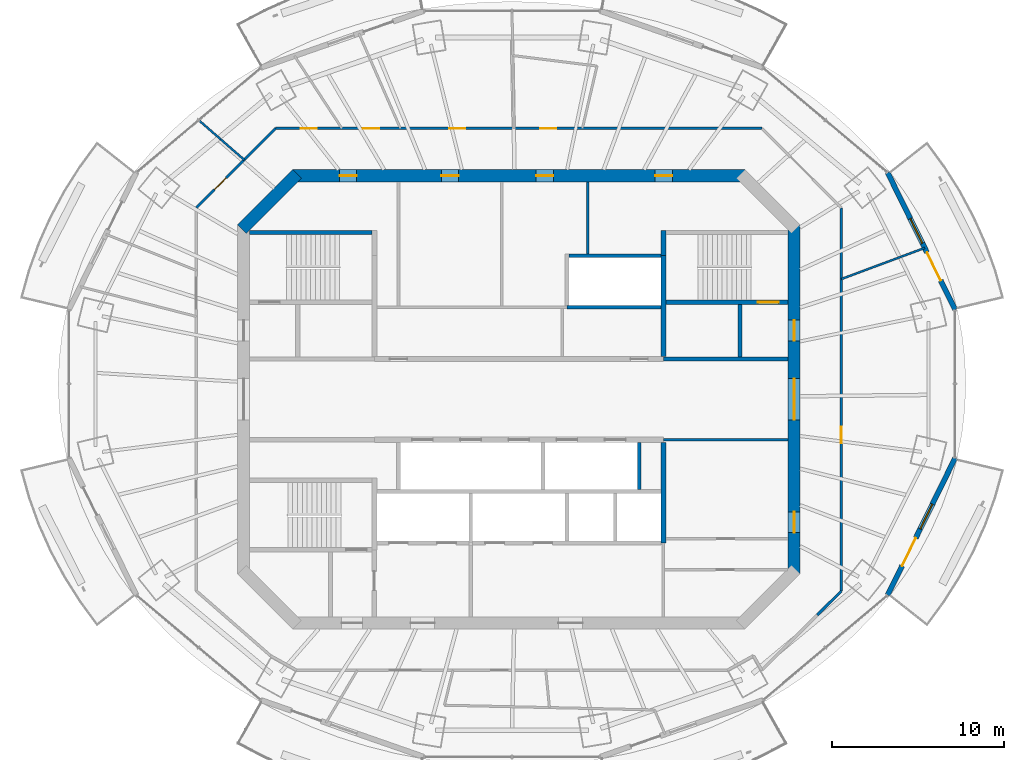
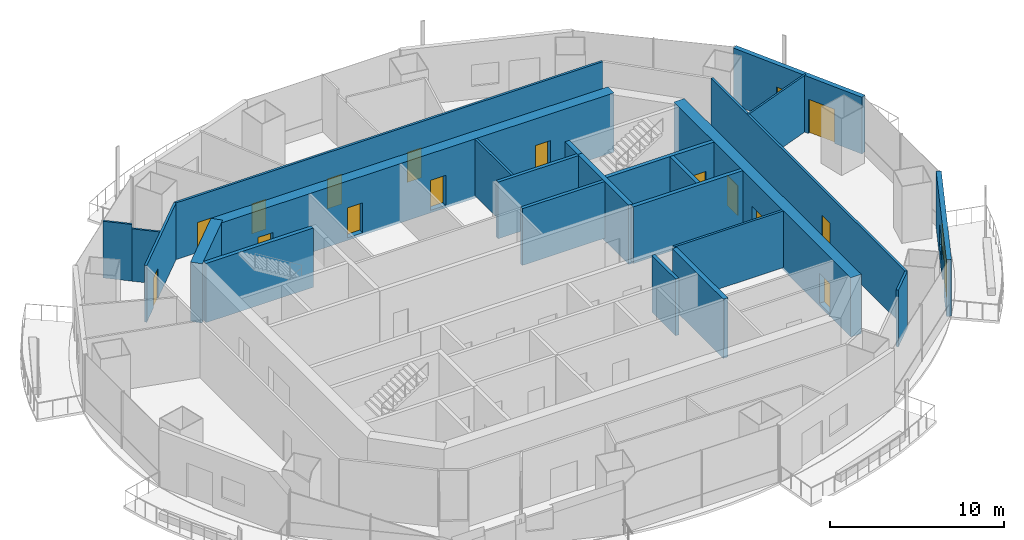
# One storey, part 10 of 16: 24 walls, 16 doors, 2 windows, 18 openings.
"""IFC4 building model written with IfcOpenShell, lengths in metres."""

from ifc_helpers import new_model, si_unit, direction, frame, frame_2d, origin, place, context, subcontext, project, spatial, rectangle, extrude, material, layer, layer_set, type_object, element, fill, save


model = new_model("IFC4")

# Units and contexts
model_context = context("Model", 3, precision=1e-05, world=origin(), true_north=direction((0.0, 1.0)))
body_context = subcontext(model_context, "Body", "Model", "MODEL_VIEW")
ifc_project = project(units=[si_unit("LENGTHUNIT", "METRE"), si_unit("AREAUNIT", "SQUARE_METRE"), si_unit("VOLUMEUNIT", "CUBIC_METRE"), si_unit("PLANEANGLEUNIT", "RADIAN"), si_unit("MASSUNIT", "GRAM", prefix="KILO")], contexts=[model_context])

# Site, building, storey
site_placement = place(None, origin())
site = spatial("IfcSite", under=ifc_project, at=site_placement, CompositionType="ELEMENT")
building_placement = place(site_placement, origin())
building = spatial("IfcBuilding", under=site, at=building_placement, Name="Marenthal Gate Tower", CompositionType="ELEMENT")
storey_placement = place(building_placement, frame((0.0, 0.0, 359.199951171875)))
storey = spatial("IfcBuildingStorey", under=building, at=storey_placement, Name="L81", CompositionType="ELEMENT", Elevation=359.199951171875)

# Wall, openings, doors
ifc_material_1 = material(Name="Concrete 60 MPa", Category="concrete")
ifc_layer_1 = layer(ifc_material_1, 0.699951171875)
ifc_layer_set_1 = layer_set([ifc_layer_1], Name="Core shear wall 700")
wall_type_1 = type_object("IfcWallType", Name="Core shear wall 700", PredefinedType="SHEAR", material=ifc_layer_set_1)
wall_1_placement = place(storey_placement, frame((16.0, -10.14501953125, -0.179931640625), z_axis=(0.0, 0.0, 1.0), x_axis=(0.0, 1.0, 0.0)))
wall_1 = element("IfcWall", 1, at=wall_1_placement, inside=storey, type_object=wall_type_1, Name="Core wall 02", PredefinedType="SHEAR", context=body_context, shape_type="SweptSolid", body=[
    extrude(rectangle(XDim=20.2900390625, YDim=0.699951171875, at=frame_2d((10.14501953125, 0.0))), origin(), (0.0, 0.0, 1.0), 4.14990234375),
])
opening_1_placement = place(wall_1_placement, frame((8.945068359375, 0.0, 0.179931640625)))
opening_1 = element("IfcOpeningElement", 2, at=opening_1_placement, cuts=wall_1, Name="Opening D003.02", PredefinedType="OPENING", context=body_context, shape_type="SweptSolid", body=[
    extrude(rectangle(XDim=2.39990234375, YDim=2.10009765625, at=frame_2d((1.199951171875, 1.050048828125))), frame((0.0, 0.35986328125, 0.0), z_axis=(0.0, -1.0, 0.0), x_axis=(1.0, 0.0, 0.0)), (0.0, 0.0, 1.0), 0.719970703125),
])
opening_2_placement = place(wall_1_placement, frame((13.544921875, 0.0, 0.179931640625)))
opening_2 = element("IfcOpeningElement", 3, at=opening_2_placement, cuts=wall_1, Name="Opening D001.05", PredefinedType="OPENING", context=body_context, shape_type="SweptSolid", body=[
    extrude(rectangle(XDim=1.199951171875, YDim=2.10009765625, at=frame_2d((0.60009765625, 1.050048828125))), frame((0.0, 0.35986328125, 0.0), z_axis=(0.0, -1.0, 0.0), x_axis=(1.0, 0.0, 0.0)), (0.0, 0.0, 1.0), 0.719970703125),
])
opening_3_placement = place(wall_1_placement, frame((2.39990234375, 0.0, 0.179931640625)))
opening_3 = element("IfcOpeningElement", 4, at=opening_3_placement, cuts=wall_1, Name="Opening D006.01", PredefinedType="OPENING", context=body_context, shape_type="SweptSolid", body=[
    extrude(rectangle(XDim=1.199951171875, YDim=2.10009765625, at=frame_2d((0.60009765625, 1.050048828125))), frame((0.0, 0.35986328125, 0.0), z_axis=(0.0, -1.0, 0.0), x_axis=(1.0, 0.0, 0.0)), (0.0, 0.0, 1.0), 0.719970703125),
])
ifc_material_2 = material(Name="Steel fire door", Category="steel")
door_type_1 = type_object("IfcDoorType", Name="Double fire door FD 45 2400 x 2100", OperationType="DOUBLE_DOOR_SINGLE_SWING", PredefinedType="DOOR", material=ifc_material_2)
door_1_placement = place(opening_1_placement, origin())
door_1 = element("IfcDoor", 5, at=door_1_placement, inside=storey, type_object=door_type_1, Name="Door D003.02", OperationType="DOUBLE_DOOR_SINGLE_SWING", OverallHeight=2.10009765625, OverallWidth=2.39990234375, PredefinedType="DOOR", context=body_context, shape_type="SweptSolid", body=[
    extrude(rectangle(XDim=2.39990234375, YDim=2.10009765625, at=frame_2d((1.199951171875, 1.050048828125))), frame((0.0, 0.02490234375, 0.0), z_axis=(0.0, -1.0, 0.0), x_axis=(1.0, 0.0, 0.0)), (0.0, 0.0, 1.0), 0.050048828125),
])
fill(opening_1, door_1)
ifc_material_3 = material(Name="Steel fire door", Category="steel")
door_type_2 = type_object("IfcDoorType", Name="Fire door FD 45 1200 x 2100", OperationType="NOTDEFINED", PredefinedType="DOOR", material=ifc_material_3)
door_2_placement = place(opening_3_placement, origin())
door_2 = element("IfcDoor", 6, at=door_2_placement, inside=storey, type_object=door_type_2, Name="Door D006.01", OperationType="SINGLE_SWING_RIGHT", OverallHeight=2.10009765625, OverallWidth=1.199951171875, PredefinedType="DOOR", context=body_context, shape_type="SweptSolid", body=[
    extrude(rectangle(XDim=1.199951171875, YDim=2.10009765625, at=frame_2d((0.60009765625, 1.050048828125))), frame((0.0, 0.02490234375, 0.0), z_axis=(0.0, -1.0, 0.0), x_axis=(1.0, 0.0, 0.0)), (0.0, 0.0, 1.0), 0.050048828125),
])
fill(opening_3, door_2)
ifc_material_4 = material(Name="Steel fire door", Category="steel")
door_type_3 = type_object("IfcDoorType", Name="Fire door FD 90 1200 x 2100", OperationType="NOTDEFINED", PredefinedType="DOOR", material=ifc_material_4)
door_3_placement = place(opening_2_placement, origin())
door_3 = element("IfcDoor", 7, at=door_3_placement, inside=storey, type_object=door_type_3, Name="Door D001.05", OperationType="SINGLE_SWING_RIGHT", OverallHeight=2.10009765625, OverallWidth=1.199951171875, PredefinedType="DOOR", context=body_context, shape_type="SweptSolid", body=[
    extrude(rectangle(XDim=1.199951171875, YDim=2.10009765625, at=frame_2d((0.60009765625, 1.050048828125))), frame((0.0, 0.02490234375, 0.0), z_axis=(0.0, -1.0, 0.0), x_axis=(1.0, 0.0, 0.0)), (0.0, 0.0, 1.0), 0.050048828125),
])
fill(opening_2, door_3)

wall_2_placement = place(storey_placement, frame((13.14501953125, 13.0, -0.179931640625), z_axis=(0.0, 0.0, 1.0), x_axis=(-1.0, 0.0, 0.0)))
wall_2 = element("IfcWall", 8, at=wall_2_placement, inside=storey, type_object=wall_type_1, Name="Core wall 04", PredefinedType="SHEAR", context=body_context, shape_type="SweptSolid", body=[
    extrude(rectangle(XDim=26.2900390625, YDim=0.699951171875, at=frame_2d((13.14501953125, 0.0))), origin(), (0.0, 0.0, 1.0), 4.14990234375),
])
opening_4_placement = place(wall_2_placement, frame((22.57275390625, 0.0, 0.179931640625)))
opening_4 = element("IfcOpeningElement", 9, at=opening_4_placement, cuts=wall_2, Name="Opening D005.03", PredefinedType="OPENING", context=body_context, shape_type="SweptSolid", body=[
    extrude(rectangle(XDim=1.0, YDim=2.10009765625, at=frame_2d((0.5, 1.050048828125))), frame((0.0, 0.35986328125, 0.0), z_axis=(0.0, -1.0, 0.0), x_axis=(1.0, 0.0, 0.0)), (0.0, 0.0, 1.0), 0.719970703125),
])
opening_5_placement = place(wall_2_placement, frame((16.64501953125, 0.0, 0.179931640625)))
opening_5 = element("IfcOpeningElement", 10, at=opening_5_placement, cuts=wall_2, Name="Opening D005.04", PredefinedType="OPENING", context=body_context, shape_type="SweptSolid", body=[
    extrude(rectangle(XDim=1.0, YDim=2.10009765625, at=frame_2d((0.5, 1.050048828125))), frame((0.0, 0.35986328125, 0.0), z_axis=(0.0, -1.0, 0.0), x_axis=(1.0, 0.0, 0.0)), (0.0, 0.0, 1.0), 0.719970703125),
])
opening_6_placement = place(wall_2_placement, frame((11.14501953125, 0.0, 0.179931640625)))
opening_6 = element("IfcOpeningElement", 11, at=opening_6_placement, cuts=wall_2, Name="Opening D005.05", PredefinedType="OPENING", context=body_context, shape_type="SweptSolid", body=[
    extrude(rectangle(XDim=1.0, YDim=2.10009765625, at=frame_2d((0.5, 1.050048828125))), frame((0.0, 0.35986328125, 0.0), z_axis=(0.0, -1.0, 0.0), x_axis=(1.0, 0.0, 0.0)), (0.0, 0.0, 1.0), 0.719970703125),
])
opening_7_placement = place(wall_2_placement, frame((4.21728515625, 0.0, 0.179931640625)))
opening_7 = element("IfcOpeningElement", 12, at=opening_7_placement, cuts=wall_2, Name="Opening D005.06", PredefinedType="OPENING", context=body_context, shape_type="SweptSolid", body=[
    extrude(rectangle(XDim=1.0, YDim=2.10009765625, at=frame_2d((0.5, 1.050048828125))), frame((0.0, 0.35986328125, 0.0), z_axis=(0.0, -1.0, 0.0), x_axis=(1.0, 0.0, 0.0)), (0.0, 0.0, 1.0), 0.719970703125),
])
ifc_material_5 = material(Name="Steel fire door", Category="steel")
door_type_4 = type_object("IfcDoorType", Name="Fire door FD 45 1000 x 2100", OperationType="NOTDEFINED", PredefinedType="DOOR", material=ifc_material_5)
door_4_placement = place(opening_4_placement, origin())
door_4 = element("IfcDoor", 13, at=door_4_placement, inside=storey, type_object=door_type_4, Name="Door D005.03", OperationType="SINGLE_SWING_RIGHT", OverallHeight=2.10009765625, OverallWidth=1.0, PredefinedType="DOOR", context=body_context, shape_type="SweptSolid", body=[
    extrude(rectangle(XDim=1.0, YDim=2.10009765625, at=frame_2d((0.5, 1.050048828125))), frame((0.0, 0.02490234375, 0.0), z_axis=(0.0, -1.0, 0.0), x_axis=(1.0, 0.0, 0.0)), (0.0, 0.0, 1.0), 0.050048828125),
])
fill(opening_4, door_4)
door_5_placement = place(opening_5_placement, origin())
door_5 = element("IfcDoor", 14, at=door_5_placement, inside=storey, type_object=door_type_4, Name="Door D005.04", OperationType="SINGLE_SWING_RIGHT", OverallHeight=2.10009765625, OverallWidth=1.0, PredefinedType="DOOR", context=body_context, shape_type="SweptSolid", body=[
    extrude(rectangle(XDim=1.0, YDim=2.10009765625, at=frame_2d((0.5, 1.050048828125))), frame((0.0, 0.02490234375, 0.0), z_axis=(0.0, -1.0, 0.0), x_axis=(1.0, 0.0, 0.0)), (0.0, 0.0, 1.0), 0.050048828125),
])
fill(opening_5, door_5)
door_6_placement = place(opening_6_placement, origin())
door_6 = element("IfcDoor", 15, at=door_6_placement, inside=storey, type_object=door_type_4, Name="Door D005.05", OperationType="SINGLE_SWING_RIGHT", OverallHeight=2.10009765625, OverallWidth=1.0, PredefinedType="DOOR", context=body_context, shape_type="SweptSolid", body=[
    extrude(rectangle(XDim=1.0, YDim=2.10009765625, at=frame_2d((0.5, 1.050048828125))), frame((0.0, 0.02490234375, 0.0), z_axis=(0.0, -1.0, 0.0), x_axis=(1.0, 0.0, 0.0)), (0.0, 0.0, 1.0), 0.050048828125),
])
fill(opening_6, door_6)
door_7_placement = place(opening_7_placement, origin())
door_7 = element("IfcDoor", 16, at=door_7_placement, inside=storey, type_object=door_type_4, Name="Door D005.06", OperationType="SINGLE_SWING_RIGHT", OverallHeight=2.10009765625, OverallWidth=1.0, PredefinedType="DOOR", context=body_context, shape_type="SweptSolid", body=[
    extrude(rectangle(XDim=1.0, YDim=2.10009765625, at=frame_2d((0.5, 1.050048828125))), frame((0.0, 0.02490234375, 0.0), z_axis=(0.0, -1.0, 0.0), x_axis=(1.0, 0.0, 0.0)), (0.0, 0.0, 1.0), 0.050048828125),
])
fill(opening_7, door_7)

# Walls
wall_3_placement = place(storey_placement, frame((-12.8974609375, 13.1025390625, -0.179931640625), z_axis=(0.0, 0.0, 1.0), x_axis=(-0.707106781187, -0.707106781187, 0.0)))
element("IfcWall", 17, at=wall_3_placement, inside=storey, type_object=wall_type_1, Name="Core wall 05", PredefinedType="SHEAR", context=body_context, shape_type="SweptSolid", body=[
    extrude(rectangle(XDim=4.53271484375, YDim=0.699951171875, at=frame_2d((2.266357421875, 0.0))), origin(), (0.0, 0.0, 1.0), 4.14990234375),
])
ifc_material_6 = material(Name="Concrete 50 MPa", Category="concrete")
ifc_layer_2 = layer(ifc_material_6, 0.300048828125)
ifc_layer_set_2 = layer_set([ifc_layer_2], Name="Hoistway shear wall 300")
wall_type_2 = type_object("IfcWallType", Name="Hoistway shear wall 300", PredefinedType="SHEAR", material=ifc_layer_set_2)
for number, where, z_axis, x_axis, name in (
    (18, (8.39990234375, -8.35009765625, -0.179931640625), (0.0, 0.0, 1.0), (0.0, 1.0, 0.0), "Hoistway wall 48"),
    (19, (8.39990234375, 2.5, -0.179931640625), (0.0, 0.0, 1.0), (0.0, 1.0, 0.0), "Hoistway wall 49"),
):
    element("IfcWall", number, at=place(storey_placement, frame(where, z_axis=z_axis, x_axis=x_axis)), inside=storey, type_object=wall_type_2, Name=name, PredefinedType="SHEAR", context=body_context, shape_type="SweptSolid", body=[
        extrude(rectangle(XDim=5.85009765625, YDim=0.300048828125, at=frame_2d((2.925048828125, 0.0))), origin(), (0.0, 0.0, 1.0), 4.14990234375),
    ])
ifc_material_7 = material(Name="Concrete 40 MPa", Category="concrete")
ifc_layer_3 = layer(ifc_material_7, 0.219970703125)
ifc_layer_set_3 = layer_set([ifc_layer_3], Name="Hoistway wall 220")
wall_type_3 = type_object("IfcWallType", Name="Hoistway wall 220", PredefinedType="STANDARD", material=ifc_layer_set_3)
wall_4_placement = place(storey_placement, frame((2.800048828125, 5.35009765625, 0.0), z_axis=(0.0, 0.0, 1.0), x_axis=(1.0, 0.0, 0.0)))
element("IfcWall", 20, at=wall_4_placement, inside=storey, type_object=wall_type_3, Name="Hoistway wall 23", PredefinedType="STANDARD", context=body_context, shape_type="SweptSolid", body=[
    extrude(rectangle(XDim=5.449951171875, YDim=0.219970703125, at=frame_2d((2.72509765625, 0.0))), origin(), (0.0, 0.0, 1.0), 3.969970703125),
])
wall_5_placement = place(storey_placement, frame((2.909912109375, 8.35009765625, 0.0), z_axis=(0.0, 0.0, 1.0), x_axis=(1.0, 0.0, 0.0)))
element("IfcWall", 21, at=wall_5_placement, inside=storey, type_object=wall_type_3, Name="Hoistway wall 26", PredefinedType="STANDARD", context=body_context, shape_type="SweptSolid", body=[
    extrude(rectangle(XDim=5.340087890625, YDim=0.219970703125, at=frame_2d((2.669921875, 0.0))), origin(), (0.0, 0.0, 1.0), 3.969970703125),
])
wall_6_placement = place(storey_placement, frame((7.0, -5.239990234375, 0.0), z_axis=(0.0, 0.0, 1.0), x_axis=(0.0, 1.0, 0.0)))
element("IfcWall", 22, at=wall_6_placement, inside=storey, type_object=wall_type_3, Name="Hoistway wall 46", PredefinedType="STANDARD", context=body_context, shape_type="SweptSolid", body=[
    extrude(rectangle(XDim=2.739990234375, YDim=0.219970703125, at=frame_2d((1.3701171875, 0.0))), origin(), (0.0, 0.0, 1.0), 3.969970703125),
])
ifc_material_8 = material(Name="Gypsum board on steel studs", Category="steel")
ifc_layer_4 = layer(ifc_material_8, 0.1201171875)
ifc_layer_set_4 = layer_set([ifc_layer_4], Name="Partition 120")
wall_type_4 = type_object("IfcWallType", Name="Partition 120", PredefinedType="PARTITIONING", material=ifc_layer_set_4)
wall_7_placement = place(storey_placement, frame((-15.965576171875, 13.923583984375, 0.0), z_axis=(0.0, 0.0, 1.0), x_axis=(-0.753716775668, 0.657199377721, 0.0)))
element("IfcWall", 23, at=wall_7_placement, inside=storey, type_object=wall_type_4, Name="Partition wall 56", PredefinedType="PARTITIONING", context=body_context, shape_type="SweptSolid", body=[
    extrude(rectangle(XDim=1.828857421875, YDim=0.1201171875, at=frame_2d((0.91455078125, 0.0))), origin(), (0.0, 0.0, 1.0), 3.66796875),
])
wall_8_placement = place(storey_placement, frame((-17.343994140625, 15.12548828125, 0.0), z_axis=(0.0, 0.0, 1.0), x_axis=(-0.753588886898, 0.657346019645, 0.0)))
element("IfcWall", 24, at=wall_8_placement, inside=storey, type_object=wall_type_4, Name="Partition wall 77", PredefinedType="PARTITIONING", context=body_context, shape_type="SweptSolid", body=[
    extrude(rectangle(XDim=1.68701171875, YDim=0.1201171875, at=frame_2d((0.843505859375, 0.0))), origin(), (0.0, 0.0, 1.0), 3.969970703125),
])
wall_9_placement = place(storey_placement, frame((18.75, 6.995361328125, 0.0), z_axis=(0.0, 0.0, 1.0), x_axis=(0.936919672461, 0.349544742994, 0.0)))
element("IfcWall", 25, at=wall_9_placement, inside=storey, type_object=wall_type_4, Name="Partition wall 75", PredefinedType="PARTITIONING", context=body_context, shape_type="SweptSolid", body=[
    extrude(rectangle(XDim=5.170654296875, YDim=0.1201171875, at=frame_2d((2.58544921875, 0.0))), origin(), (0.0, 0.0, 1.0), 3.969970703125),
])
ifc_material_9 = material(Name="Gypsum board on steel studs", Category="steel")
ifc_layer_5 = layer(ifc_material_9, 0.14990234375)
ifc_layer_set_5 = layer_set([ifc_layer_5], Name="Partition 150")
wall_type_5 = type_object("IfcWallType", Name="Partition 150", PredefinedType="PARTITIONING", material=ifc_layer_set_5)
wall_10_placement = place(storey_placement, frame((8.39990234375, -2.35009765625, 0.0), z_axis=(0.0, 0.0, 1.0), x_axis=(1.0, 0.0, 0.0)))
element("IfcWall", 26, at=wall_10_placement, inside=storey, type_object=wall_type_5, Name="Partition wall 18", PredefinedType="PARTITIONING", context=body_context, shape_type="SweptSolid", body=[
    extrude(rectangle(XDim=7.25, YDim=0.14990234375, at=frame_2d((3.625, 0.0))), origin(), (0.0, 0.0, 1.0), 3.969970703125),
])
wall_11_placement = place(storey_placement, frame((4.0, 8.4599609375, 0.0), z_axis=(0.0, 0.0, 1.0), x_axis=(0.0, 1.0, 0.0)))
element("IfcWall", 27, at=wall_11_placement, inside=storey, type_object=wall_type_5, Name="Partition wall 44", PredefinedType="PARTITIONING", context=body_context, shape_type="SweptSolid", body=[
    extrude(rectangle(XDim=4.18994140625, YDim=0.14990234375, at=frame_2d((2.094970703125, 0.0))), origin(), (0.0, 0.0, 1.0), 3.969970703125),
])

# Wall, opening, door
wall_12_placement = place(storey_placement, frame((-18.75, 11.13916015625, 0.0), z_axis=(0.0, 0.0, 1.0), x_axis=(0.707106781187, 0.707106781187, 0.0)))
wall_12 = element("IfcWall", 28, at=wall_12_placement, inside=storey, type_object=wall_type_5, Name="Partition wall 55", PredefinedType="PARTITIONING", context=body_context, shape_type="SweptSolid", body=[
    extrude(rectangle(XDim=6.520751953125, YDim=0.14990234375, at=frame_2d((3.26025390625, 0.0))), origin(), (0.0, 0.0, 1.0), 3.969970703125),
])
opening_8_placement = place(wall_12_placement, frame((1.493896484375, 0.0, 0.0)))
opening_8 = element("IfcOpeningElement", 29, at=opening_8_placement, cuts=wall_12, Name="Opening D016.05", PredefinedType="OPENING", context=body_context, shape_type="SweptSolid", body=[
    extrude(rectangle(XDim=0.949951171875, YDim=2.10009765625, at=frame_2d((0.47509765625, 1.050048828125))), frame((0.0, 0.0849609375, 0.0), z_axis=(0.0, -1.0, 0.0), x_axis=(1.0, 0.0, 0.0)), (0.0, 0.0, 1.0), 0.169921875),
])
ifc_material_10 = material(Name="Timber door", Category="wood")
door_type_5 = type_object("IfcDoorType", Name="Door 950 x 2100", OperationType="NOTDEFINED", PredefinedType="DOOR", material=ifc_material_10)
door_8_placement = place(opening_8_placement, origin())
door_8 = element("IfcDoor", 30, at=door_8_placement, inside=storey, type_object=door_type_5, Name="Door D016.05", OperationType="SINGLE_SWING_RIGHT", OverallHeight=2.10009765625, OverallWidth=0.949951171875, PredefinedType="DOOR", context=body_context, shape_type="SweptSolid", body=[
    extrude(rectangle(XDim=0.949951171875, YDim=2.10009765625, at=frame_2d((0.47509765625, 1.050048828125))), frame((0.0, 0.02490234375, 0.0), z_axis=(0.0, -1.0, 0.0), x_axis=(1.0, 0.0, 0.0)), (0.0, 0.0, 1.0), 0.050048828125),
])
fill(opening_8, door_8)

# Wall, openings, doors
wall_13_placement = place(storey_placement, frame((-14.13916015625, 15.75, 0.0), z_axis=(0.0, 0.0, 1.0), x_axis=(1.0, 0.0, 0.0)))
wall_13 = element("IfcWall", 31, at=wall_13_placement, inside=storey, type_object=wall_type_5, Name="Partition wall 58", PredefinedType="PARTITIONING", context=body_context, shape_type="SweptSolid", body=[
    extrude(rectangle(XDim=28.2783203125, YDim=0.14990234375, at=frame_2d((14.13916015625, 0.0))), origin(), (0.0, 0.0, 1.0), 3.969970703125),
])
opening_9_placement = place(wall_13_placement, frame((15.3701171875, 0.0, 0.0)))
opening_9 = element("IfcOpeningElement", 32, at=opening_9_placement, cuts=wall_13, Name="Opening D016.01", PredefinedType="OPENING", context=body_context, shape_type="SweptSolid", body=[
    extrude(rectangle(XDim=0.949951171875, YDim=2.10009765625, at=frame_2d((0.47509765625, 1.050048828125))), frame((0.0, 0.0849609375, 0.0), z_axis=(0.0, -1.0, 0.0), x_axis=(1.0, 0.0, 0.0)), (0.0, 0.0, 1.0), 0.169921875),
])
opening_10_placement = place(wall_13_placement, frame((10.0810546875, 0.0, 0.0)))
opening_10 = element("IfcOpeningElement", 33, at=opening_10_placement, cuts=wall_13, Name="Opening D016.02", PredefinedType="OPENING", context=body_context, shape_type="SweptSolid", body=[
    extrude(rectangle(XDim=0.949951171875, YDim=2.10009765625, at=frame_2d((0.47509765625, 1.050048828125))), frame((0.0, 0.0849609375, 0.0), z_axis=(0.0, -1.0, 0.0), x_axis=(1.0, 0.0, 0.0)), (0.0, 0.0, 1.0), 0.169921875),
])
opening_11_placement = place(wall_13_placement, frame((5.075927734375, 0.0, 0.0)))
opening_11 = element("IfcOpeningElement", 34, at=opening_11_placement, cuts=wall_13, Name="Opening D016.03", PredefinedType="OPENING", context=body_context, shape_type="SweptSolid", body=[
    extrude(rectangle(XDim=0.949951171875, YDim=2.10009765625, at=frame_2d((0.47509765625, 1.050048828125))), frame((0.0, 0.0849609375, 0.0), z_axis=(0.0, -1.0, 0.0), x_axis=(1.0, 0.0, 0.0)), (0.0, 0.0, 1.0), 0.169921875),
])
opening_12_placement = place(wall_13_placement, frame((1.449951171875, 0.0, 0.0)))
opening_12 = element("IfcOpeningElement", 35, at=opening_12_placement, cuts=wall_13, Name="Opening D016.04", PredefinedType="OPENING", context=body_context, shape_type="SweptSolid", body=[
    extrude(rectangle(XDim=0.949951171875, YDim=2.10009765625, at=frame_2d((0.47509765625, 1.050048828125))), frame((0.0, 0.0849609375, 0.0), z_axis=(0.0, -1.0, 0.0), x_axis=(1.0, 0.0, 0.0)), (0.0, 0.0, 1.0), 0.169921875),
])
door_9_placement = place(opening_9_placement, origin())
door_9 = element("IfcDoor", 36, at=door_9_placement, inside=storey, type_object=door_type_5, Name="Door D016.01", OperationType="SINGLE_SWING_RIGHT", OverallHeight=2.10009765625, OverallWidth=0.949951171875, PredefinedType="DOOR", context=body_context, shape_type="SweptSolid", body=[
    extrude(rectangle(XDim=0.949951171875, YDim=2.10009765625, at=frame_2d((0.47509765625, 1.050048828125))), frame((0.0, 0.02490234375, 0.0), z_axis=(0.0, -1.0, 0.0), x_axis=(1.0, 0.0, 0.0)), (0.0, 0.0, 1.0), 0.050048828125),
])
fill(opening_9, door_9)
door_10_placement = place(opening_10_placement, origin())
door_10 = element("IfcDoor", 37, at=door_10_placement, inside=storey, type_object=door_type_5, Name="Door D016.02", OperationType="SINGLE_SWING_RIGHT", OverallHeight=2.10009765625, OverallWidth=0.949951171875, PredefinedType="DOOR", context=body_context, shape_type="SweptSolid", body=[
    extrude(rectangle(XDim=0.949951171875, YDim=2.10009765625, at=frame_2d((0.47509765625, 1.050048828125))), frame((0.0, 0.02490234375, 0.0), z_axis=(0.0, -1.0, 0.0), x_axis=(1.0, 0.0, 0.0)), (0.0, 0.0, 1.0), 0.050048828125),
])
fill(opening_10, door_10)
door_11_placement = place(opening_11_placement, origin())
door_11 = element("IfcDoor", 38, at=door_11_placement, inside=storey, type_object=door_type_5, Name="Door D016.03", OperationType="SINGLE_SWING_RIGHT", OverallHeight=2.10009765625, OverallWidth=0.949951171875, PredefinedType="DOOR", context=body_context, shape_type="SweptSolid", body=[
    extrude(rectangle(XDim=0.949951171875, YDim=2.10009765625, at=frame_2d((0.47509765625, 1.050048828125))), frame((0.0, 0.02490234375, 0.0), z_axis=(0.0, -1.0, 0.0), x_axis=(1.0, 0.0, 0.0)), (0.0, 0.0, 1.0), 0.050048828125),
])
fill(opening_11, door_11)
door_12_placement = place(opening_12_placement, origin())
door_12 = element("IfcDoor", 39, at=door_12_placement, inside=storey, type_object=door_type_5, Name="Door D016.04", OperationType="SINGLE_SWING_RIGHT", OverallHeight=2.10009765625, OverallWidth=0.949951171875, PredefinedType="DOOR", context=body_context, shape_type="SweptSolid", body=[
    extrude(rectangle(XDim=0.949951171875, YDim=2.10009765625, at=frame_2d((0.47509765625, 1.050048828125))), frame((0.0, 0.02490234375, 0.0), z_axis=(0.0, -1.0, 0.0), x_axis=(1.0, 0.0, 0.0)), (0.0, 0.0, 1.0), 0.050048828125),
])
fill(opening_12, door_12)

# Wall
wall_14_placement = place(storey_placement, frame((18.75, -11.13916015625, 0.0), z_axis=(0.0, 0.0, 1.0), x_axis=(-0.708212689491, -0.70599914054, 0.0)))
element("IfcWall", 40, at=wall_14_placement, inside=storey, type_object=wall_type_5, Name="Partition wall 74", PredefinedType="PARTITIONING", context=body_context, shape_type="SweptSolid", body=[
    extrude(rectangle(XDim=1.9853515625, YDim=0.14990234375, at=frame_2d((0.99267578125, 0.0))), origin(), (0.0, 0.0, 1.0), 3.969970703125),
])

# Wall, opening, door
wall_15_placement = place(storey_placement, frame((18.75, 11.13916015625, 0.0), z_axis=(0.0, 0.0, 1.0), x_axis=(0.0, -1.0, 0.0)))
wall_15 = element("IfcWall", 41, at=wall_15_placement, inside=storey, type_object=wall_type_5, Name="Partition wall 76", PredefinedType="PARTITIONING", context=body_context, shape_type="SweptSolid", body=[
    extrude(rectangle(XDim=22.2783203125, YDim=0.14990234375, at=frame_2d((11.13916015625, 0.0))), origin(), (0.0, 0.0, 1.0), 3.969970703125),
])
opening_13_placement = place(wall_15_placement, frame((12.736083984375, 0.0, 0.0)))
opening_13 = element("IfcOpeningElement", 42, at=opening_13_placement, cuts=wall_15, Name="Opening D016.08", PredefinedType="OPENING", context=body_context, shape_type="SweptSolid", body=[
    extrude(rectangle(XDim=0.949951171875, YDim=2.10009765625, at=frame_2d((0.47509765625, 1.050048828125))), frame((0.0, 0.0849609375, 0.0), z_axis=(0.0, -1.0, 0.0), x_axis=(1.0, 0.0, 0.0)), (0.0, 0.0, 1.0), 0.169921875),
])
door_13_placement = place(opening_13_placement, origin())
door_13 = element("IfcDoor", 43, at=door_13_placement, inside=storey, type_object=door_type_5, Name="Door D016.08", OperationType="SINGLE_SWING_RIGHT", OverallHeight=2.10009765625, OverallWidth=0.949951171875, PredefinedType="DOOR", context=body_context, shape_type="SweptSolid", body=[
    extrude(rectangle(XDim=0.949951171875, YDim=2.10009765625, at=frame_2d((0.47509765625, 1.050048828125))), frame((0.0, 0.02490234375, 0.0), z_axis=(0.0, -1.0, 0.0), x_axis=(1.0, 0.0, 0.0)), (0.0, 0.0, 1.0), 0.050048828125),
])
fill(opening_13, door_13)

# Walls
ifc_material_11 = material(Name="Concrete 40 MPa", Category="concrete")
ifc_layer_6 = layer(ifc_material_11, 0.25)
ifc_layer_set_6 = layer_set([ifc_layer_6], Name="Stair enclosure wall 250")
wall_type_6 = type_object("IfcWallType", Name="Stair enclosure wall 250", PredefinedType="STANDARD", material=ifc_layer_set_6)
wall_16_placement = place(storey_placement, frame((8.39990234375, 2.35009765625, 0.0), z_axis=(0.0, 0.0, 1.0), x_axis=(1.0, 0.0, 0.0)))
element("IfcWall", 44, at=wall_16_placement, inside=storey, type_object=wall_type_6, Name="Stair wall 21", PredefinedType="STANDARD", context=body_context, shape_type="SweptSolid", body=[
    extrude(rectangle(XDim=7.25, YDim=0.25, at=frame_2d((3.625, 0.0))), origin(), (0.0, 0.0, 1.0), 3.969970703125),
])
wall_17_placement = place(storey_placement, frame((12.85009765625, 2.47509765625, 0.0), z_axis=(0.0, 0.0, 1.0), x_axis=(0.0, 1.0, 0.0)))
element("IfcWall", 45, at=wall_17_placement, inside=storey, type_object=wall_type_6, Name="Stair wall 51", PredefinedType="STANDARD", context=body_context, shape_type="SweptSolid", body=[
    extrude(rectangle(XDim=3.0498046875, YDim=0.25, at=frame_2d((1.52490234375, 0.0))), origin(), (0.0, 0.0, 1.0), 3.969970703125),
])

# Wall, opening, door
ifc_material_12 = material(Name="Concrete 50 MPa", Category="concrete")
ifc_layer_7 = layer(ifc_material_12, 0.25)
ifc_layer_set_7 = layer_set([ifc_layer_7], Name="Stair shear wall 250")
wall_type_7 = type_object("IfcWallType", Name="Stair shear wall 250", PredefinedType="SHEAR", material=ifc_layer_set_7)
wall_18_placement = place(storey_placement, frame((8.550048828125, 5.64990234375, -0.179931640625), z_axis=(0.0, 0.0, 1.0), x_axis=(1.0, 0.0, 0.0)))
wall_18 = element("IfcWall", 46, at=wall_18_placement, inside=storey, type_object=wall_type_7, Name="Stair wall 25", PredefinedType="SHEAR", context=body_context, shape_type="SweptSolid", body=[
    extrude(rectangle(XDim=7.099853515625, YDim=0.25, at=frame_2d((3.5498046875, 0.0))), origin(), (0.0, 0.0, 1.0), 4.14990234375),
])
opening_14_placement = place(wall_18_placement, frame((5.35009765625, 0.0, 0.179931640625)))
opening_14 = element("IfcOpeningElement", 47, at=opening_14_placement, cuts=wall_18, Name="Opening D001.02", PredefinedType="OPENING", context=body_context, shape_type="SweptSolid", body=[
    extrude(rectangle(XDim=1.199951171875, YDim=2.10009765625, at=frame_2d((0.60009765625, 1.050048828125))), frame((0.0, 0.135009765625, 0.0), z_axis=(0.0, -1.0, 0.0), x_axis=(1.0, 0.0, 0.0)), (0.0, 0.0, 1.0), 0.27001953125),
])
door_14_placement = place(opening_14_placement, origin())
door_14 = element("IfcDoor", 48, at=door_14_placement, inside=storey, type_object=door_type_3, Name="Door D001.02", OperationType="SINGLE_SWING_RIGHT", OverallHeight=2.10009765625, OverallWidth=1.199951171875, PredefinedType="DOOR", context=body_context, shape_type="SweptSolid", body=[
    extrude(rectangle(XDim=1.199951171875, YDim=2.10009765625, at=frame_2d((0.60009765625, 1.050048828125))), frame((0.0, 0.02490234375, 0.0), z_axis=(0.0, -1.0, 0.0), x_axis=(1.0, 0.0, 0.0)), (0.0, 0.0, 1.0), 0.050048828125),
])
fill(opening_14, door_14)

# Walls
wall_19_placement = place(storey_placement, frame((-15.64990234375, 9.699951171875, -0.179931640625), z_axis=(0.0, 0.0, 1.0), x_axis=(1.0, 0.0, 0.0)))
element("IfcWall", 49, at=wall_19_placement, inside=storey, type_object=wall_type_7, Name="Stair wall 27", PredefinedType="SHEAR", context=body_context, shape_type="SweptSolid", body=[
    extrude(rectangle(XDim=7.099853515625, YDim=0.25, at=frame_2d((3.5498046875, 0.0))), origin(), (0.0, 0.0, 1.0), 4.14990234375),
])
ifc_material_13 = material(Name="Concrete 50 MPa", Category="concrete")
ifc_layer_8 = layer(ifc_material_13, 0.300048828125)
ifc_layer_set_8 = layer_set([ifc_layer_8], Name="Stair shear wall 300")
wall_type_8 = type_object("IfcWallType", Name="Stair shear wall 300", PredefinedType="SHEAR", material=ifc_layer_set_8)
wall_20_placement = place(storey_placement, frame((8.39990234375, 8.35009765625, -0.179931640625), z_axis=(0.0, 0.0, 1.0), x_axis=(0.0, 1.0, 0.0)))
element("IfcWall", 50, at=wall_20_placement, inside=storey, type_object=wall_type_8, Name="Stair wall 50", PredefinedType="SHEAR", context=body_context, shape_type="SweptSolid", body=[
    extrude(rectangle(XDim=1.474853515625, YDim=0.300048828125, at=frame_2d((0.7373046875, 0.0))), origin(), (0.0, 0.0, 1.0), 4.14990234375),
])

# Wall, openings, door, window
ifc_material_14 = material(Name="Terracotta cladding on insulated concrete-block backing", Category="masonry")
ifc_layer_9 = layer(ifc_material_14, 0.300048828125)
ifc_layer_set_9 = layer_set([ifc_layer_9], Name="Terracotta facade wall 300")
wall_type_9 = type_object("IfcWallType", Name="Terracotta facade wall 300", PredefinedType="SOLIDWALL", material=ifc_layer_set_9)
wall_21_placement = place(storey_placement, frame((25.3603515625, 5.213623046875, 0.0), z_axis=(0.0, 0.0, 1.0), x_axis=(-0.441487983718, 0.897267162128, 0.0)))
wall_21 = element("IfcWall", 51, at=wall_21_placement, inside=storey, type_object=wall_type_9, Name="Terracotta facade wall L81 bay 1", PredefinedType="SOLIDWALL", context=body_context, shape_type="SweptSolid", body=[
    extrude(rectangle(XDim=8.88330078125, YDim=0.300048828125, at=frame_2d((4.441650390625, 0.0))), origin(), (0.0, 0.0, 1.0), 3.969970703125),
])
opening_15_placement = place(wall_21_placement, frame((1.89990234375, 0.0, 0.0)))
opening_15 = element("IfcOpeningElement", 52, at=opening_15_placement, cuts=wall_21, Name="Opening BD-L81-01", PredefinedType="OPENING", context=body_context, shape_type="SweptSolid", body=[
    extrude(rectangle(XDim=1.800048828125, YDim=2.39990234375, at=frame_2d((0.89990234375, 1.199951171875))), frame((0.0, 0.16015625, 0.0), z_axis=(0.0, -1.0, 0.0), x_axis=(1.0, 0.0, 0.0)), (0.0, 0.0, 1.0), 0.320068359375),
])
opening_16_placement = place(wall_21_placement, frame((4.300048828125, 0.0, 0.89990234375)))
opening_16 = element("IfcOpeningElement", 53, at=opening_16_placement, cuts=wall_21, Name="Opening WN3-L81-01", PredefinedType="OPENING", context=body_context, shape_type="SweptSolid", body=[
    extrude(rectangle(XDim=1.60009765625, YDim=1.5, at=frame_2d((0.800048828125, 0.75))), frame((0.0, 0.16015625, 0.0), z_axis=(0.0, -1.0, 0.0), x_axis=(1.0, 0.0, 0.0)), (0.0, 0.0, 1.0), 0.320068359375),
])
ifc_material_15 = material(Name="Aluminium and glass", Category="aluminium")
door_type_6 = type_object("IfcDoorType", Name="Balcony door 1800x2400", OperationType="DOUBLE_DOOR_SINGLE_SWING", PredefinedType="DOOR", material=ifc_material_15)
door_15_placement = place(opening_15_placement, origin())
door_15 = element("IfcDoor", 54, at=door_15_placement, inside=storey, type_object=door_type_6, Name="Balcony door L81 bay 1", OperationType="SINGLE_SWING_LEFT", OverallHeight=2.39990234375, OverallWidth=1.800048828125, PredefinedType="DOOR", context=body_context, shape_type="SweptSolid", body=[
    extrude(rectangle(XDim=1.800048828125, YDim=2.39990234375, at=frame_2d((0.89990234375, 1.199951171875))), frame((0.0, 0.02490234375, 0.0), z_axis=(0.0, -1.0, 0.0), x_axis=(1.0, 0.0, 0.0)), (0.0, 0.0, 1.0), 0.050048828125),
])
fill(opening_15, door_15)
ifc_material_16 = material(Name="Aluminium and glass", Category="aluminium")
window_type = type_object("IfcWindowType", Name="Window 1600x1500", PartitioningType="DOUBLE_PANEL_VERTICAL", PredefinedType="WINDOW", material=ifc_material_16)
window_1_placement = place(opening_16_placement, origin())
window_1 = element("IfcWindow", 55, at=window_1_placement, inside=storey, type_object=window_type, Name="Window L81 bay 1", OverallHeight=1.5, OverallWidth=1.60009765625, PartitioningType="SINGLE_PANEL", PredefinedType="WINDOW", context=body_context, shape_type="SweptSolid", body=[
    extrude(rectangle(XDim=1.60009765625, YDim=1.5, at=frame_2d((0.800048828125, 0.75))), frame((0.0, 0.030029296875, 0.0), z_axis=(0.0, -1.0, 0.0), x_axis=(1.0, 0.0, 0.0)), (0.0, 0.0, 1.0), 0.06005859375),
])
fill(opening_16, window_1)

wall_22_placement = place(storey_placement, frame((21.4384765625, -11.38427734375, 0.0), z_axis=(0.0, 0.0, 1.0), x_axis=(0.441487983718, 0.897267162128, 0.0)))
wall_22 = element("IfcWall", 56, at=wall_22_placement, inside=storey, type_object=wall_type_9, Name="Terracotta facade wall L81 bay 15", PredefinedType="SOLIDWALL", context=body_context, shape_type="SweptSolid", body=[
    extrude(rectangle(XDim=8.88330078125, YDim=0.300048828125, at=frame_2d((4.441650390625, 0.0))), origin(), (0.0, 0.0, 1.0), 3.969970703125),
])
opening_17_placement = place(wall_22_placement, frame((1.89990234375, 0.0, 0.0)))
opening_17 = element("IfcOpeningElement", 57, at=opening_17_placement, cuts=wall_22, Name="Opening BD-L81-15", PredefinedType="OPENING", context=body_context, shape_type="SweptSolid", body=[
    extrude(rectangle(XDim=1.800048828125, YDim=2.39990234375, at=frame_2d((0.89990234375, 1.199951171875))), frame((0.0, 0.16015625, 0.0), z_axis=(0.0, -1.0, 0.0), x_axis=(1.0, 0.0, 0.0)), (0.0, 0.0, 1.0), 0.320068359375),
])
opening_18_placement = place(wall_22_placement, frame((4.300048828125, 0.0, 0.89990234375)))
opening_18 = element("IfcOpeningElement", 58, at=opening_18_placement, cuts=wall_22, Name="Opening WN3-L81-15", PredefinedType="OPENING", context=body_context, shape_type="SweptSolid", body=[
    extrude(rectangle(XDim=1.60009765625, YDim=1.5, at=frame_2d((0.800048828125, 0.75))), frame((0.0, 0.16015625, 0.0), z_axis=(0.0, -1.0, 0.0), x_axis=(1.0, 0.0, 0.0)), (0.0, 0.0, 1.0), 0.320068359375),
])
door_16_placement = place(opening_17_placement, origin())
door_16 = element("IfcDoor", 59, at=door_16_placement, inside=storey, type_object=door_type_6, Name="Balcony door L81 bay 15", OperationType="SINGLE_SWING_LEFT", OverallHeight=2.39990234375, OverallWidth=1.800048828125, PredefinedType="DOOR", context=body_context, shape_type="SweptSolid", body=[
    extrude(rectangle(XDim=1.800048828125, YDim=2.39990234375, at=frame_2d((0.89990234375, 1.199951171875))), frame((0.0, 0.02490234375, 0.0), z_axis=(0.0, -1.0, 0.0), x_axis=(1.0, 0.0, 0.0)), (0.0, 0.0, 1.0), 0.050048828125),
])
fill(opening_17, door_16)
window_2_placement = place(opening_18_placement, origin())
window_2 = element("IfcWindow", 60, at=window_2_placement, inside=storey, type_object=window_type, Name="Window L81 bay 15", OverallHeight=1.5, OverallWidth=1.60009765625, PartitioningType="SINGLE_PANEL", PredefinedType="WINDOW", context=body_context, shape_type="SweptSolid", body=[
    extrude(rectangle(XDim=1.60009765625, YDim=1.5, at=frame_2d((0.800048828125, 0.75))), frame((0.0, 0.030029296875, 0.0), z_axis=(0.0, -1.0, 0.0), x_axis=(1.0, 0.0, 0.0)), (0.0, 0.0, 1.0), 0.06005859375),
])
fill(opening_18, window_2)

save(model, "model.ifc")
